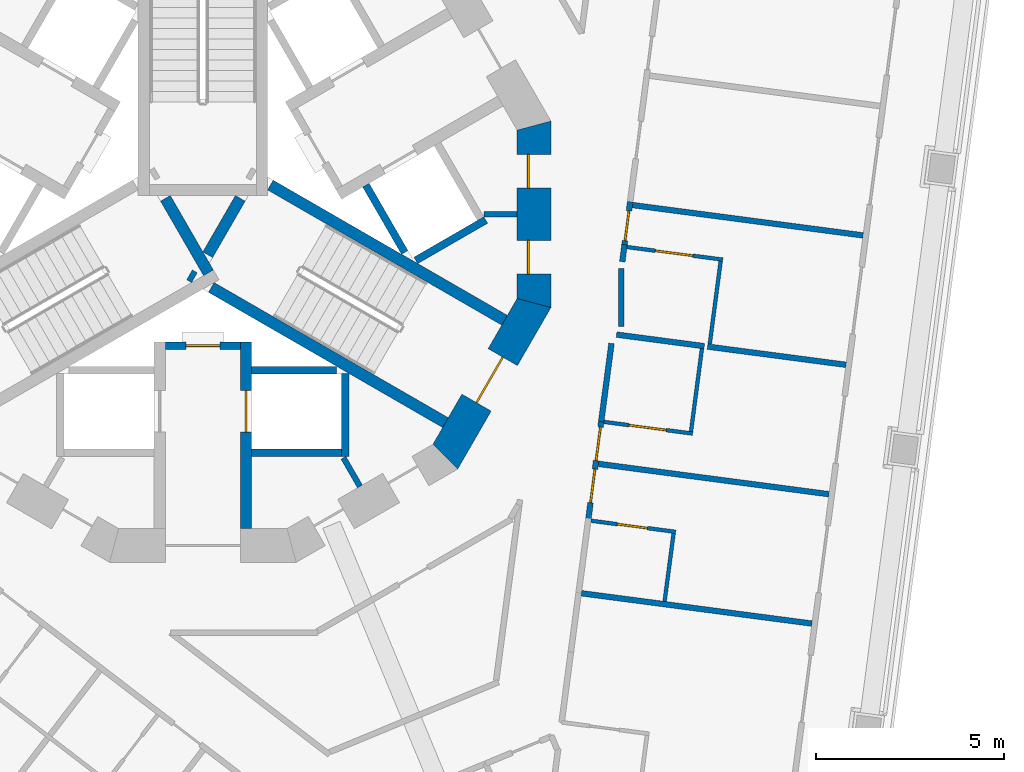
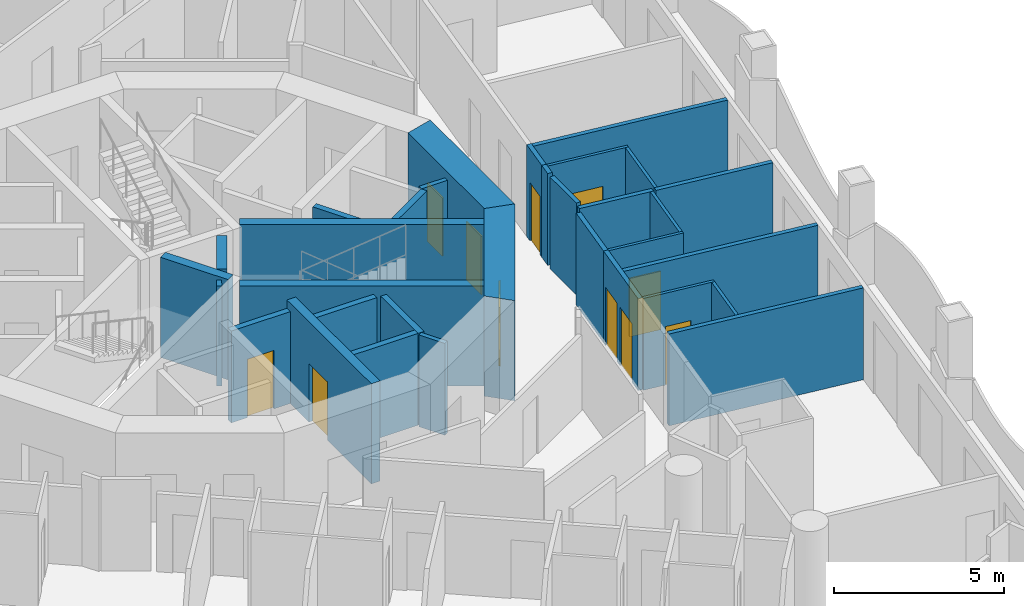
# One storey, part 5 of 17: 32 walls, 11 doors, 11 openings.
"""IFC4 building model written with IfcOpenShell, lengths in metres."""

from ifc_helpers import new_model, si_unit, direction, frame, frame_2d, origin, place, context, subcontext, project, spatial, polyline, rectangle, outline, extrude, material, layer, layer_set, type_object, element, fill, save


model = new_model("IFC4")

# Units and contexts
model_context = context("Model", 3, precision=1e-05, world=origin(), true_north=direction((0.0, 1.0)))
body_context = subcontext(model_context, "Body", "Model", "MODEL_VIEW")
ifc_project = project(units=[si_unit("LENGTHUNIT", "METRE"), si_unit("AREAUNIT", "SQUARE_METRE"), si_unit("VOLUMEUNIT", "CUBIC_METRE"), si_unit("PLANEANGLEUNIT", "RADIAN"), si_unit("MASSUNIT", "GRAM", prefix="KILO")], contexts=[model_context])

# Site, building, storey
site_placement = place(None, origin())
site = spatial("IfcSite", under=ifc_project, at=site_placement, CompositionType="ELEMENT")
building_placement = place(site_placement, origin())
building = spatial("IfcBuilding", under=site, at=building_placement, Name="Trine Commons Tower", CompositionType="ELEMENT")
storey_placement = place(building_placement, frame((0.0, 0.0, 131.39990234375)))
storey = spatial("IfcBuildingStorey", under=building, at=storey_placement, Name="L33", CompositionType="ELEMENT", Elevation=131.39990234375)

# Walls
ifc_material_1 = material(Name="Plasterboard partition on steel studs", Category="steel")
ifc_layer_1 = layer(ifc_material_1, 0.14990234375)
ifc_layer_set_1 = layer_set([ifc_layer_1], Name="Plasterboard partition on steel studs")
wall_type_1 = type_object("IfcWallType", Name="Core room partition 150 mm, EI 60", PredefinedType="PARTITIONING", material=ifc_layer_set_1)
for number, where, z_axis, x_axis, name in (
    (1, (84.18603515625, 55.2490234375, 0.0), (0.0, 0.0, 1.0), (-0.499890179513, 0.866088799389, 0.0), "Core room partition L33"),
    (2, (88.373046875, 62.5, 0.0), (0.0, 0.0, 1.0), (-1.0, 0.0, 0.0), "Core room partition L33"),
):
    element("IfcWall", number, at=place(storey_placement, frame(where, z_axis=z_axis, x_axis=x_axis)), inside=storey, type_object=wall_type_1, Name=name, PredefinedType="PARTITIONING", context=body_context, shape_type="SweptSolid", body=[
        extrude(rectangle(XDim=0.882080078125, YDim=0.14990234375, at=frame_2d((0.44091796875, 0.0))), origin(), (0.0, 0.0, 1.0), 3.300048828125),
    ])

# Wall, opening, door
ifc_material_2 = material(Name="Fire-rated gypsum shaft wall system")
ifc_layer_2 = layer(ifc_material_2, 0.199951171875)
ifc_layer_set_2 = layer_set([ifc_layer_2], Name="Fire-rated gypsum shaft wall system")
wall_type_2 = type_object("IfcWallType", Name="Lobby end wall 200 mm, EI 120", PredefinedType="PARTITIONING", material=ifc_layer_set_2)
wall_1_placement = place(storey_placement, frame((79.0, 59.0, 0.0), z_axis=(0.0, 0.0, 1.0), x_axis=(1.0, 0.0, 0.0)))
wall_1 = element("IfcWall", 3, at=wall_1_placement, inside=storey, type_object=wall_type_2, Name="Lobby end wall L33", PredefinedType="PARTITIONING", context=body_context, shape_type="SweptSolid", body=[
    extrude(rectangle(XDim=2.0, YDim=0.199951171875, at=frame_2d((1.0, 0.0))), origin(), (0.0, 0.0, 1.0), 3.300048828125),
])
opening_1_placement = place(wall_1_placement, frame((0.550048828125, 0.0, 0.0)))
opening_1 = element("IfcOpeningElement", 4, at=opening_1_placement, cuts=wall_1, Name="Opening K12.09", PredefinedType="OPENING", context=body_context, shape_type="SweptSolid", body=[
    extrude(rectangle(XDim=0.89990234375, YDim=2.10009765625, at=frame_2d((0.449951171875, 1.050048828125))), frame((0.0, 0.10986328125, 0.0), z_axis=(0.0, -1.0, 0.0), x_axis=(1.0, 0.0, 0.0)), (0.0, 0.0, 1.0), 0.219970703125),
])
ifc_material_3 = material(Name="Steel door leaf, fire-rated", Category="steel")
door_type_1 = type_object("IfcDoorType", Name="Riser access door, single leaf 900 x 2100, FD60", OperationType="SINGLE_SWING_LEFT", PredefinedType="DOOR", material=ifc_material_3)
door_1_placement = place(opening_1_placement, frame((0.89990234375, 0.0, 0.0), z_axis=(0.0, 0.0, 1.0), x_axis=(-1.0, 0.0, 0.0)))
door_1 = element("IfcDoor", 5, at=door_1_placement, inside=storey, type_object=door_type_1, Name="Riser door, Communications riser L33", OperationType="SINGLE_SWING_RIGHT", OverallHeight=2.10009765625, OverallWidth=0.89990234375, PredefinedType="DOOR", context=body_context, shape_type="SweptSolid", body=[
    extrude(rectangle(XDim=0.89990234375, YDim=2.10009765625, at=frame_2d((0.449951171875, 1.050048828125))), frame((0.0, 0.02490234375, 0.0), z_axis=(0.0, -1.0, 0.0), x_axis=(1.0, 0.0, 0.0)), (0.0, 0.0, 1.0), 0.050048828125),
])
fill(opening_1, door_1)

ifc_material_4 = material(Name="Concrete C70/85", Category="concrete")
ifc_layer_3 = layer(ifc_material_4, 0.300048828125)
ifc_layer_set_3 = layer_set([ifc_layer_3], Name="Concrete C70/85")
wall_type_3 = type_object("IfcWallType", Name="RC shear wall 300 mm, C70/85", PredefinedType="SHEAR", material=ifc_layer_set_3)
wall_2_placement = place(storey_placement, frame((81.14990234375, 59.10009765625, 0.0), z_axis=(0.0, 0.0, 1.0), x_axis=(0.0, -1.0, 0.0)))
wall_2 = element("IfcWall", 6, at=wall_2_placement, inside=storey, type_object=wall_type_3, Name="Core cross wall SWB-04 L33", PredefinedType="SHEAR", context=body_context, shape_type="SweptSolid", body=[
    extrude(rectangle(XDim=4.97314453125, YDim=0.300048828125, at=frame_2d((2.486572265625, 0.0))), origin(), (0.0, 0.0, 1.0), 3.60009765625),
])
opening_2_placement = place(wall_2_placement, frame((1.300048828125, 0.0, 0.0)))
opening_2 = element("IfcOpeningElement", 7, at=opening_2_placement, cuts=wall_2, Name="Opening LD9", PredefinedType="OPENING", context=body_context, shape_type="SweptSolid", body=[
    extrude(rectangle(XDim=1.10009765625, YDim=2.10009765625, at=frame_2d((0.550048828125, 1.050048828125))), frame((0.0, 0.159912109375, 0.0), z_axis=(0.0, -1.0, 0.0), x_axis=(1.0, 0.0, 0.0)), (0.0, 0.0, 1.0), 0.320068359375),
])
ifc_material_5 = material(Name="Stainless steel sliding door leaves", Category="steel")
door_type_2 = type_object("IfcDoorType", Name="Lift landing door, centre-opening sliding 1100 x 2100, FD90", OperationType="DOUBLE_DOOR_SLIDING", PredefinedType="DOOR", material=ifc_material_5)
door_2_placement = place(opening_2_placement, origin())
door_2 = element("IfcDoor", 8, at=door_2_placement, inside=storey, type_object=door_type_2, Name="Lift landing door FF1 L33", OperationType="DOUBLE_DOOR_SLIDING", OverallHeight=2.10009765625, OverallWidth=1.10009765625, PredefinedType="DOOR", context=body_context, shape_type="SweptSolid", body=[
    extrude(rectangle(XDim=1.10009765625, YDim=2.10009765625, at=frame_2d((0.550048828125, 1.050048828125))), frame((0.0, 0.02490234375, 0.0), z_axis=(0.0, -1.0, 0.0), x_axis=(1.0, 0.0, 0.0)), (0.0, 0.0, 1.0), 0.050048828125),
])
fill(opening_2, door_2)

# Walls
wall_3_placement = place(storey_placement, frame((79.0029296875, 62.926025390625, 0.0), z_axis=(0.0, 0.0, 1.0), x_axis=(0.499965247104, -0.866045467449, 0.0)))
element("IfcWall", 9, at=wall_3_placement, inside=storey, type_object=wall_type_3, Name="Core cross wall SWB-10 L33", PredefinedType="SHEAR", context=body_context, shape_type="SweptSolid", body=[
    extrude(rectangle(XDim=2.292236328125, YDim=0.300048828125, at=frame_2d((1.14599609375, 0.0))), origin(), (0.0, 0.0, 1.0), 3.60009765625),
])
wall_4_placement = place(storey_placement, frame((79.64599609375, 60.885986328125, 0.0), z_axis=(0.0, 0.0, 1.0), x_axis=(0.867331893649, -0.497730234424, 0.0)))
element("IfcWall", 10, at=wall_4_placement, inside=storey, type_object=wall_type_3, Name="Core cross wall SWB-11 L33", PredefinedType="SHEAR", context=body_context, shape_type="SweptSolid", body=[
    extrude(rectangle(XDim=0.148681640625, YDim=0.300048828125, at=frame_2d((0.07421875, 0.0))), origin(), (0.0, 0.0, 1.0), 3.60009765625),
])
wall_5_placement = place(storey_placement, frame((80.1298828125, 61.424072265625, 0.0), z_axis=(0.0, 0.0, 1.0), x_axis=(0.500014901547, 0.866016800201, 0.0)))
element("IfcWall", 11, at=wall_5_placement, inside=storey, type_object=wall_type_3, Name="Core cross wall SWB-12 L33", PredefinedType="SHEAR", context=body_context, shape_type="SweptSolid", body=[
    extrude(rectangle(XDim=1.734375, YDim=0.300048828125, at=frame_2d((0.8671875, 0.0))), origin(), (0.0, 0.0, 1.0), 3.60009765625),
])
for number, where, z_axis, x_axis, name in (
    (12, (80.22509765625, 60.552001953125, 0.0), (0.0, 0.0, 1.0), (0.866028135082, -0.499995269223, 0.0), "Core cross wall SWB-13 L33"),
    (13, (81.800048828125, 63.280029296875, 0.0), (0.0, 0.0, 1.0), (0.866028135082, -0.499995269223, 0.0), "Core cross wall SWB-18 L33"),
):
    element("IfcWall", number, at=place(storey_placement, frame(where, z_axis=z_axis, x_axis=x_axis)), inside=storey, type_object=wall_type_3, Name=name, PredefinedType="SHEAR", context=body_context, shape_type="SweptSolid", body=[
        extrude(rectangle(XDim=7.2041015625, YDim=0.300048828125, at=frame_2d((3.60205078125, 0.0))), origin(), (0.0, 0.0, 1.0), 3.60009765625),
    ])

# Wall, openings, doors
ifc_layer_4 = layer(ifc_material_4, 0.89990234375)
ifc_layer_set_4 = layer_set([ifc_layer_4], Name="Concrete C70/85")
wall_type_4 = type_object("IfcWallType", Name="RC shear wall 900 mm, C70/85", PredefinedType="SHEAR", material=ifc_layer_set_4)
wall_6_placement = place(storey_placement, frame((88.822998046875, 60.015380859375, 0.0), z_axis=(0.0, 0.0, 1.0), x_axis=(0.0, 1.0, 0.0)))
wall_6 = element("IfcWall", 14, at=wall_6_placement, inside=storey, type_object=wall_type_4, Name="Core wall CWD-01 L33", PredefinedType="SHEAR", context=body_context, shape_type="SweptSolid", body=[
    extrude(outline(polyline([(0.0, -0.449951171875), (4.969482421875, -0.449951171875), (4.728271484375, 0.449951171875), (0.2412109375, 0.449951171875), (0.0, -0.449951171875)])), origin(), (0.0, 0.0, 1.0), 3.60009765625),
])
opening_3_placement = place(wall_6_placement, frame((0.893798828125, 0.0, 0.0)))
opening_3 = element("IfcOpeningElement", 15, at=opening_3_placement, cuts=wall_6, Name="Opening K12.10", PredefinedType="OPENING", context=body_context, shape_type="SweptSolid", body=[
    extrude(rectangle(XDim=0.89990234375, YDim=2.10009765625, at=frame_2d((0.449951171875, 1.050048828125))), frame((0.0, 0.4599609375, 0.0), z_axis=(0.0, -1.0, 0.0), x_axis=(1.0, 0.0, 0.0)), (0.0, 0.0, 1.0), 0.919921875),
])
opening_4_placement = place(wall_6_placement, frame((3.184814453125, 0.0, 0.0)))
opening_4 = element("IfcOpeningElement", 16, at=opening_4_placement, cuts=wall_6, Name="Opening K12.11", PredefinedType="OPENING", context=body_context, shape_type="SweptSolid", body=[
    extrude(rectangle(XDim=0.89990234375, YDim=2.10009765625, at=frame_2d((0.449951171875, 1.050048828125))), frame((0.0, 0.4599609375, 0.0), z_axis=(0.0, -1.0, 0.0), x_axis=(1.0, 0.0, 0.0)), (0.0, 0.0, 1.0), 0.919921875),
])
door_type_3 = type_object("IfcDoorType", Name="Core room door, single leaf 900 x 2100, FD30S", OperationType="SINGLE_SWING_LEFT", PredefinedType="DOOR", material=ifc_material_3)
door_3_placement = place(opening_3_placement, origin())
door_3 = element("IfcDoor", 17, at=door_3_placement, inside=storey, type_object=door_type_3, Name="Door to Linen store L33", OperationType="SINGLE_SWING_LEFT", OverallHeight=2.10009765625, OverallWidth=0.89990234375, PredefinedType="DOOR", context=body_context, shape_type="SweptSolid", body=[
    extrude(rectangle(XDim=0.89990234375, YDim=2.10009765625, at=frame_2d((0.449951171875, 1.050048828125))), frame((0.0, 0.1748046875, 0.0), z_axis=(0.0, -1.0, 0.0), x_axis=(1.0, 0.0, 0.0)), (0.0, 0.0, 1.0), 0.050048828125),
])
fill(opening_3, door_3)
door_4_placement = place(opening_4_placement, origin())
door_4 = element("IfcDoor", 18, at=door_4_placement, inside=storey, type_object=door_type_3, Name="Door to Pantry L33", OperationType="SINGLE_SWING_RIGHT", OverallHeight=2.10009765625, OverallWidth=0.89990234375, PredefinedType="DOOR", context=body_context, shape_type="SweptSolid", body=[
    extrude(rectangle(XDim=0.89990234375, YDim=2.10009765625, at=frame_2d((0.449951171875, 1.050048828125))), frame((0.0, 0.1748046875, 0.0), z_axis=(0.0, -1.0, 0.0), x_axis=(1.0, 0.0, 0.0)), (0.0, 0.0, 1.0), 0.050048828125),
])
fill(opening_4, door_4)

# Wall, opening, door
wall_7_placement = place(storey_placement, frame((86.3984375, 55.936767578125, 0.0), z_axis=(0.0, 0.0, 1.0), x_axis=(0.500038571144, 0.866003133579, 0.0)))
wall_7 = element("IfcWall", 19, at=wall_7_placement, inside=storey, type_object=wall_type_4, Name="Core wall CWD-12 L33", PredefinedType="SHEAR", context=body_context, shape_type="SweptSolid", body=[
    extrude(outline(polyline([(0.0, -0.449951171875), (4.96923828125, -0.449951171875), (4.72802734375, 0.449951171875), (0.2412109375, 0.449951171875), (0.0, -0.449951171875)])), origin(), (0.0, 0.0, 1.0), 3.60009765625),
])
opening_5_placement = place(wall_7_placement, frame((1.78466796875, 0.0, 0.0)))
opening_5 = element("IfcOpeningElement", 20, at=opening_5_placement, cuts=wall_7, Name="Opening K12.03", PredefinedType="OPENING", context=body_context, shape_type="SweptSolid", body=[
    extrude(rectangle(XDim=1.39990234375, YDim=2.10009765625, at=frame_2d((0.699951171875, 1.050048828125))), frame((0.0, 0.4599609375, 0.0), z_axis=(0.0, -1.0, 0.0), x_axis=(1.0, 0.0, 0.0)), (0.0, 0.0, 1.0), 0.919921875),
])
ifc_material_6 = material(Name="Steel door leaves, fire-rated", Category="steel")
door_type_4 = type_object("IfcDoorType", Name="Stair door, double leaf 1400 x 2100, FD90", OperationType="DOUBLE_DOOR_SINGLE_SWING", PredefinedType="DOOR", material=ifc_material_6)
door_5_placement = place(opening_5_placement, origin())
door_5 = element("IfcDoor", 21, at=door_5_placement, inside=storey, type_object=door_type_4, Name="Stair door to Exit stair ST3B L33", OperationType="DOUBLE_DOOR_SINGLE_SWING", OverallHeight=2.10009765625, OverallWidth=1.39990234375, PredefinedType="DOOR", context=body_context, shape_type="SweptSolid", body=[
    extrude(rectangle(XDim=1.39990234375, YDim=2.10009765625, at=frame_2d((0.699951171875, 1.050048828125))), frame((0.0, 0.02490234375, 0.0), z_axis=(0.0, -1.0, 0.0), x_axis=(1.0, 0.0, 0.0)), (0.0, 0.0, 1.0), 0.050048828125),
])
fill(opening_5, door_5)

# Walls
ifc_layer_5 = layer(ifc_material_2, 0.199951171875)
ifc_layer_set_5 = layer_set([ifc_layer_5], Name="Fire-rated gypsum shaft wall system")
wall_type_5 = type_object("IfcWallType", Name="Shaft wall 200 mm, EI 120", PredefinedType="PARTITIONING", material=ifc_layer_set_5)
wall_8_placement = place(storey_placement, frame((81.300048828125, 56.14990234375, 0.0), z_axis=(0.0, 0.0, 1.0), x_axis=(1.0, 0.0, 0.0)))
element("IfcWall", 22, at=wall_8_placement, inside=storey, type_object=wall_type_5, Name="Shaft wall L33", PredefinedType="PARTITIONING", context=body_context, shape_type="SweptSolid", body=[
    extrude(rectangle(XDim=2.39990234375, YDim=0.199951171875, at=frame_2d((1.199951171875, 0.0))), origin(), (0.0, 0.0, 1.0), 3.300048828125),
])
wall_9_placement = place(storey_placement, frame((81.300048828125, 58.35009765625, 0.0), z_axis=(0.0, 0.0, 1.0), x_axis=(1.0, 0.0, 0.0)))
element("IfcWall", 23, at=wall_9_placement, inside=storey, type_object=wall_type_5, Name="Shaft wall L33", PredefinedType="PARTITIONING", context=body_context, shape_type="SweptSolid", body=[
    extrude(rectangle(XDim=2.264892578125, YDim=0.199951171875, at=frame_2d((1.13232421875, 0.0))), origin(), (0.0, 0.0, 1.0), 3.300048828125),
])
wall_10_placement = place(storey_placement, frame((83.800048828125, 58.257080078125, 0.0), z_axis=(0.0, 0.0, 1.0), x_axis=(0.0, -1.0, 0.0)))
element("IfcWall", 24, at=wall_10_placement, inside=storey, type_object=wall_type_5, Name="Shaft wall L33", PredefinedType="PARTITIONING", context=body_context, shape_type="SweptSolid", body=[
    extrude(rectangle(XDim=2.20703125, YDim=0.199951171875, at=frame_2d((1.103515625, 0.0))), origin(), (0.0, 0.0, 1.0), 3.300048828125),
])
wall_11_placement = place(storey_placement, frame((84.343994140625, 63.27587890625, 0.0), z_axis=(0.0, 0.0, 1.0), x_axis=(0.500271688072, -0.86586848777, 0.0)))
element("IfcWall", 25, at=wall_11_placement, inside=storey, type_object=wall_type_5, Name="Shaft wall L33", PredefinedType="PARTITIONING", context=body_context, shape_type="SweptSolid", body=[
    extrude(rectangle(XDim=2.064697265625, YDim=0.199951171875, at=frame_2d((1.0322265625, 0.0))), origin(), (0.0, 0.0, 1.0), 3.300048828125),
])
wall_12_placement = place(storey_placement, frame((85.675048828125, 61.27392578125, 0.0), z_axis=(0.0, 0.0, 1.0), x_axis=(0.866102336459, 0.499866725018, 0.0)))
element("IfcWall", 26, at=wall_12_placement, inside=storey, type_object=wall_type_5, Name="Shaft wall L33", PredefinedType="PARTITIONING", context=body_context, shape_type="SweptSolid", body=[
    extrude(rectangle(XDim=2.1484375, YDim=0.199951171875, at=frame_2d((1.07421875, 0.0))), origin(), (0.0, 0.0, 1.0), 3.300048828125),
])
ifc_material_7 = material(Name="Gypsum plasterboard on steel stud", Category="steel")
ifc_layer_6 = layer(ifc_material_7, 0.14990234375)
ifc_layer_set_6 = layer_set([ifc_layer_6], Name="Gypsum plasterboard on steel stud")
wall_type_6 = type_object("IfcWallType", Name="Unit and corridor wall 150 mm, EI 60", PredefinedType="PARTITIONING", material=ifc_layer_set_6)
wall_13_placement = place(storey_placement, frame((90.08740234375, 52.4033203125, 0.0), z_axis=(0.0, 0.0, 1.0), x_axis=(0.991452282991, -0.130469807049, 0.0)))
element("IfcWall", 27, at=wall_13_placement, inside=storey, type_object=wall_type_6, Name="Partition 105", PredefinedType="PARTITIONING", context=body_context, shape_type="SweptSolid", body=[
    extrude(rectangle(XDim=6.19384765625, YDim=0.14990234375, at=frame_2d((3.096923828125, 0.0))), origin(), (0.0, 0.0, 1.0), 3.300048828125),
])

# Wall, openings, doors
wall_14_placement = place(storey_placement, frame((90.26708984375, 54.342041015625, 0.0), z_axis=(0.0, 0.0, 1.0), x_axis=(0.13024822895, 0.991481416294, 0.0)))
wall_14 = element("IfcWall", 28, at=wall_14_placement, inside=storey, type_object=wall_type_6, Name="Partition 107", PredefinedType="PARTITIONING", context=body_context, shape_type="SweptSolid", body=[
    extrude(rectangle(XDim=2.66357421875, YDim=0.14990234375, at=frame_2d((1.331787109375, 0.0))), origin(), (0.0, 0.0, 1.0), 3.300048828125),
])
opening_6_placement = place(wall_14_placement, frame((1.612060546875, 0.0, 0.0)))
opening_6 = element("IfcOpeningElement", 29, at=opening_6_placement, cuts=wall_14, Name="Opening D-4A20", PredefinedType="OPENING", context=body_context, shape_type="SweptSolid", body=[
    extrude(rectangle(XDim=0.89990234375, YDim=2.10009765625, at=frame_2d((0.449951171875, 1.050048828125))), frame((0.0, 0.0849609375, 0.0), z_axis=(0.0, -1.0, 0.0), x_axis=(1.0, 0.0, 0.0)), (0.0, 0.0, 1.0), 0.169921875),
])
opening_7_placement = place(wall_14_placement, frame((0.482177734375, 0.0, 0.0)))
opening_7 = element("IfcOpeningElement", 30, at=opening_7_placement, cuts=wall_14, Name="Opening D-4A21", PredefinedType="OPENING", context=body_context, shape_type="SweptSolid", body=[
    extrude(rectangle(XDim=0.89990234375, YDim=2.10009765625, at=frame_2d((0.449951171875, 1.050048828125))), frame((0.0, 0.0849609375, 0.0), z_axis=(0.0, -1.0, 0.0), x_axis=(1.0, 0.0, 0.0)), (0.0, 0.0, 1.0), 0.169921875),
])
ifc_material_8 = material(Name="Timber fire door set", Category="wood")
door_type_5 = type_object("IfcDoorType", Name="Bedroom door 900 x 2100, FD30S", OperationType="NOTDEFINED", PredefinedType="DOOR", material=ifc_material_8)
door_6_placement = place(opening_6_placement, frame((0.89990234375, 0.0, 0.0), z_axis=(0.0, 0.0, 1.0), x_axis=(-1.0, 0.0, 0.0)))
door_6 = element("IfcDoor", 31, at=door_6_placement, inside=storey, type_object=door_type_5, Name="Door D-4A20", OperationType="SINGLE_SWING_LEFT", OverallHeight=2.10009765625, OverallWidth=0.89990234375, PredefinedType="DOOR", context=body_context, shape_type="SweptSolid", body=[
    extrude(rectangle(XDim=0.89990234375, YDim=2.10009765625, at=frame_2d((0.449951171875, 1.050048828125))), frame((0.0, 0.02490234375, 0.0), z_axis=(0.0, -1.0, 0.0), x_axis=(1.0, 0.0, 0.0)), (0.0, 0.0, 1.0), 0.050048828125),
])
fill(opening_6, door_6)
door_7_placement = place(opening_7_placement, frame((0.89990234375, 0.0, 0.0), z_axis=(0.0, 0.0, 1.0), x_axis=(-1.0, 0.0, 0.0)))
door_7 = element("IfcDoor", 32, at=door_7_placement, inside=storey, type_object=door_type_5, Name="Door D-4A21", OperationType="SINGLE_SWING_RIGHT", OverallHeight=2.10009765625, OverallWidth=0.89990234375, PredefinedType="DOOR", context=body_context, shape_type="SweptSolid", body=[
    extrude(rectangle(XDim=0.89990234375, YDim=2.10009765625, at=frame_2d((0.449951171875, 1.050048828125))), frame((0.0, 0.02490234375, 0.0), z_axis=(0.0, -1.0, 0.0), x_axis=(1.0, 0.0, 0.0)), (0.0, 0.0, 1.0), 0.050048828125),
])
fill(opening_7, door_7)

# Walls
wall_15_placement = place(storey_placement, frame((90.54150390625, 55.851318359375, 0.0), z_axis=(0.0, 0.0, 1.0), x_axis=(0.991431876291, -0.130624785832, 0.0)))
element("IfcWall", 33, at=wall_15_placement, inside=storey, type_object=wall_type_6, Name="Partition 109", PredefinedType="PARTITIONING", context=body_context, shape_type="SweptSolid", body=[
    extrude(rectangle(XDim=6.19384765625, YDim=0.14990234375, at=frame_2d((3.096923828125, 0.0))), origin(), (0.0, 0.0, 1.0), 3.300048828125),
])
wall_16_placement = place(storey_placement, frame((90.613037109375, 56.97509765625, 0.0), z_axis=(0.0, 0.0, 1.0), x_axis=(0.130718775618, 0.99141948826, 0.0)))
element("IfcWall", 34, at=wall_16_placement, inside=storey, type_object=wall_type_6, Name="Partition 110", PredefinedType="PARTITIONING", context=body_context, shape_type="SweptSolid", body=[
    extrude(rectangle(XDim=2.10302734375, YDim=0.14990234375, at=frame_2d((1.051513671875, 0.0))), origin(), (0.0, 0.0, 1.0), 3.300048828125),
])
wall_17_placement = place(storey_placement, frame((91.02197265625, 59.294921875, 0.0), z_axis=(0.0, 0.0, 1.0), x_axis=(0.991419384597, -0.130719561828, 0.0)))
element("IfcWall", 35, at=wall_17_placement, inside=storey, type_object=wall_type_6, Name="Partition 115", PredefinedType="PARTITIONING", context=body_context, shape_type="SweptSolid", body=[
    extrude(rectangle(XDim=2.35888671875, YDim=0.14990234375, at=frame_2d((1.179443359375, 0.0))), origin(), (0.0, 0.0, 1.0), 3.300048828125),
])
wall_18_placement = place(storey_placement, frame((91.14794921875, 59.512939453125, 0.0), z_axis=(0.0, 0.0, 1.0), x_axis=(0.0, 1.0, 0.0)))
element("IfcWall", 36, at=wall_18_placement, inside=storey, type_object=wall_type_6, Name="Partition 116", PredefinedType="PARTITIONING", context=body_context, shape_type="SweptSolid", body=[
    extrude(rectangle(XDim=1.550048828125, YDim=0.14990234375, at=frame_2d((0.77490234375, 0.0))), origin(), (0.0, 0.0, 1.0), 3.300048828125),
])
wall_19_placement = place(storey_placement, frame((91.175048828125, 61.237060546875, 0.0), z_axis=(0.0, 0.0, 1.0), x_axis=(0.129931052438, 0.991523031307, 0.0)))
element("IfcWall", 37, at=wall_19_placement, inside=storey, type_object=wall_type_6, Name="Partition 117", PredefinedType="PARTITIONING", context=body_context, shape_type="SweptSolid", body=[
    extrude(rectangle(XDim=0.45849609375, YDim=0.14990234375, at=frame_2d((0.229248046875, 0.0))), origin(), (0.0, 0.0, 1.0), 3.300048828125),
])

# Wall, opening, door
wall_20_placement = place(storey_placement, frame((91.22705078125, 61.634033203125, 0.0), z_axis=(0.0, 0.0, 1.0), x_axis=(0.130261514623, 0.9914796709, 0.0)))
wall_20 = element("IfcWall", 38, at=wall_20_placement, inside=storey, type_object=wall_type_6, Name="Partition 118", PredefinedType="PARTITIONING", context=body_context, shape_type="SweptSolid", body=[
    extrude(rectangle(XDim=1.210693359375, YDim=0.14990234375, at=frame_2d((0.60546875, 0.0))), origin(), (0.0, 0.0, 1.0), 3.300048828125),
])
opening_8_placement = place(wall_20_placement, frame((0.16796875, 0.0, 0.0)))
opening_8 = element("IfcOpeningElement", 39, at=opening_8_placement, cuts=wall_20, Name="Opening D-4A19", PredefinedType="OPENING", context=body_context, shape_type="SweptSolid", body=[
    extrude(rectangle(XDim=0.800048828125, YDim=2.10009765625, at=frame_2d((0.39990234375, 1.050048828125))), frame((0.0, 0.0849609375, 0.0), z_axis=(0.0, -1.0, 0.0), x_axis=(1.0, 0.0, 0.0)), (0.0, 0.0, 1.0), 0.169921875),
])
door_type_6 = type_object("IfcDoorType", Name="Bedroom door 800 x 2100, FD30S", OperationType="NOTDEFINED", PredefinedType="DOOR", material=ifc_material_8)
door_8_placement = place(opening_8_placement, frame((0.800048828125, 0.0, 0.0), z_axis=(0.0, 0.0, 1.0), x_axis=(-1.0, 0.0, 0.0)))
door_8 = element("IfcDoor", 40, at=door_8_placement, inside=storey, type_object=door_type_6, Name="Door D-4A19", OperationType="SINGLE_SWING_RIGHT", OverallHeight=2.10009765625, OverallWidth=0.800048828125, PredefinedType="DOOR", context=body_context, shape_type="SweptSolid", body=[
    extrude(rectangle(XDim=0.800048828125, YDim=2.10009765625, at=frame_2d((0.39990234375, 1.050048828125))), frame((0.0, 0.02490234375, 0.0), z_axis=(0.0, -1.0, 0.0), x_axis=(1.0, 0.0, 0.0)), (0.0, 0.0, 1.0), 0.050048828125),
])
fill(opening_8, door_8)

# Walls
wall_21_placement = place(storey_placement, frame((91.449462890625, 62.74609375, 0.0), z_axis=(0.0, 0.0, 1.0), x_axis=(0.991457381012, -0.130431060858, 0.0)))
element("IfcWall", 41, at=wall_21_placement, inside=storey, type_object=wall_type_6, Name="Partition 121", PredefinedType="PARTITIONING", context=body_context, shape_type="SweptSolid", body=[
    extrude(rectangle(XDim=6.19384765625, YDim=0.14990234375, at=frame_2d((3.096923828125, 0.0))), origin(), (0.0, 0.0, 1.0), 3.300048828125),
])
wall_22_placement = place(storey_placement, frame((93.4462890625, 58.9755859375, 0.0), z_axis=(0.0, 0.0, 1.0), x_axis=(0.991460099763, -0.130410392903, 0.0)))
element("IfcWall", 42, at=wall_22_placement, inside=storey, type_object=wall_type_6, Name="Partition 136", PredefinedType="PARTITIONING", context=body_context, shape_type="SweptSolid", body=[
    extrude(rectangle(XDim=3.7216796875, YDim=0.14990234375, at=frame_2d((1.86083984375, 0.0))), origin(), (0.0, 0.0, 1.0), 3.300048828125),
])

# Wall, opening, door
ifc_layer_7 = layer(ifc_material_7, 0.10009765625)
ifc_layer_set_7 = layer_set([ifc_layer_7], Name="Gypsum plasterboard on steel stud")
wall_type_7 = type_object("IfcWallType", Name="Unit partition 100 mm, no rating", PredefinedType="PARTITIONING", material=ifc_layer_set_7)
wall_23_placement = place(storey_placement, frame((90.34228515625, 54.336181640625, 0.0), z_axis=(0.0, 0.0, 1.0), x_axis=(0.991461599928, -0.130398987217, 0.0)))
wall_23 = element("IfcWall", 43, at=wall_23_placement, inside=storey, type_object=wall_type_7, Name="Partition 108", PredefinedType="PARTITIONING", context=body_context, shape_type="SweptSolid", body=[
    extrude(rectangle(XDim=2.27490234375, YDim=0.10009765625, at=frame_2d((1.137451171875, 0.0))), origin(), (0.0, 0.0, 1.0), 3.300048828125),
])
opening_9_placement = place(wall_23_placement, frame((0.71240234375, 0.0, 0.0)))
opening_9 = element("IfcOpeningElement", 44, at=opening_9_placement, cuts=wall_23, Name="Opening D-4A49", PredefinedType="OPENING", context=body_context, shape_type="SweptSolid", body=[
    extrude(rectangle(XDim=0.800048828125, YDim=2.10009765625, at=frame_2d((0.39990234375, 1.050048828125))), frame((0.0, 0.06005859375, 0.0), z_axis=(0.0, -1.0, 0.0), x_axis=(1.0, 0.0, 0.0)), (0.0, 0.0, 1.0), 0.1201171875),
])
ifc_material_9 = material(Name="Painted timber", Category="wood")
door_type_7 = type_object("IfcDoorType", Name="Internal door 800 x 2100, NOT RATED", OperationType="NOTDEFINED", PredefinedType="DOOR", material=ifc_material_9)
door_9_placement = place(opening_9_placement, origin())
door_9 = element("IfcDoor", 45, at=door_9_placement, inside=storey, type_object=door_type_7, Name="Door D-4A49", OperationType="SINGLE_SWING_LEFT", OverallHeight=2.10009765625, OverallWidth=0.800048828125, PredefinedType="DOOR", context=body_context, shape_type="SweptSolid", body=[
    extrude(rectangle(XDim=0.800048828125, YDim=2.10009765625, at=frame_2d((0.39990234375, 1.050048828125))), frame((0.0, 0.02490234375, 0.0), z_axis=(0.0, -1.0, 0.0), x_axis=(1.0, 0.0, 0.0)), (0.0, 0.0, 1.0), 0.050048828125),
])
fill(opening_9, door_9)

wall_24_placement = place(storey_placement, frame((90.6884765625, 56.96923828125, 0.0), z_axis=(0.0, 0.0, 1.0), x_axis=(0.991394526873, -0.130907952726, 0.0)))
wall_24 = element("IfcWall", 46, at=wall_24_placement, inside=storey, type_object=wall_type_7, Name="Partition 111", PredefinedType="PARTITIONING", context=body_context, shape_type="SweptSolid", body=[
    extrude(rectangle(XDim=2.381591796875, YDim=0.10009765625, at=frame_2d((1.19091796875, 0.0))), origin(), (0.0, 0.0, 1.0), 3.300048828125),
])
opening_10_placement = place(wall_24_placement, frame((0.666015625, 0.0, 0.0)))
opening_10 = element("IfcOpeningElement", 47, at=opening_10_placement, cuts=wall_24, Name="Opening D-4A48", PredefinedType="OPENING", context=body_context, shape_type="SweptSolid", body=[
    extrude(rectangle(XDim=1.0, YDim=2.10009765625, at=frame_2d((0.5, 1.050048828125))), frame((0.0, 0.06005859375, 0.0), z_axis=(0.0, -1.0, 0.0), x_axis=(1.0, 0.0, 0.0)), (0.0, 0.0, 1.0), 0.1201171875),
])
door_type_8 = type_object("IfcDoorType", Name="Internal door 1000 x 2100, NOT RATED", OperationType="NOTDEFINED", PredefinedType="DOOR", material=ifc_material_9)
door_10_placement = place(opening_10_placement, frame((1.0, 0.0, 0.0), z_axis=(0.0, 0.0, 1.0), x_axis=(-1.0, 0.0, 0.0)))
door_10 = element("IfcDoor", 48, at=door_10_placement, inside=storey, type_object=door_type_8, Name="Door D-4A48", OperationType="SINGLE_SWING_RIGHT", OverallHeight=2.10009765625, OverallWidth=1.0, PredefinedType="DOOR", context=body_context, shape_type="SweptSolid", body=[
    extrude(rectangle(XDim=1.0, YDim=2.10009765625, at=frame_2d((0.5, 1.050048828125))), frame((0.0, 0.02490234375, 0.0), z_axis=(0.0, -1.0, 0.0), x_axis=(1.0, 0.0, 0.0)), (0.0, 0.0, 1.0), 0.050048828125),
])
fill(opening_10, door_10)

wall_25_placement = place(storey_placement, frame((91.302490234375, 61.628173828125, 0.0), z_axis=(0.0, 0.0, 1.0), x_axis=(0.991446216664, -0.130515897359, 0.0)))
wall_25 = element("IfcWall", 49, at=wall_25_placement, inside=storey, type_object=wall_type_7, Name="Partition 119", PredefinedType="PARTITIONING", context=body_context, shape_type="SweptSolid", body=[
    extrude(rectangle(XDim=2.572021484375, YDim=0.10009765625, at=frame_2d((1.2861328125, 0.0))), origin(), (0.0, 0.0, 1.0), 3.300048828125),
])
opening_11_placement = place(wall_25_placement, frame((0.760986328125, 0.0, 0.0)))
opening_11 = element("IfcOpeningElement", 50, at=opening_11_placement, cuts=wall_25, Name="Opening D-4A47", PredefinedType="OPENING", context=body_context, shape_type="SweptSolid", body=[
    extrude(rectangle(XDim=1.0, YDim=2.10009765625, at=frame_2d((0.5, 1.050048828125))), frame((0.0, 0.06005859375, 0.0), z_axis=(0.0, -1.0, 0.0), x_axis=(1.0, 0.0, 0.0)), (0.0, 0.0, 1.0), 0.1201171875),
])
door_11_placement = place(opening_11_placement, origin())
door_11 = element("IfcDoor", 51, at=door_11_placement, inside=storey, type_object=door_type_8, Name="Door D-4A47", OperationType="SINGLE_SWING_LEFT", OverallHeight=2.10009765625, OverallWidth=1.0, PredefinedType="DOOR", context=body_context, shape_type="SweptSolid", body=[
    extrude(rectangle(XDim=1.0, YDim=2.10009765625, at=frame_2d((0.5, 1.050048828125))), frame((0.0, 0.02490234375, 0.0), z_axis=(0.0, -1.0, 0.0), x_axis=(1.0, 0.0, 0.0)), (0.0, 0.0, 1.0), 0.050048828125),
])
fill(opening_11, door_11)

# Walls
wall_26_placement = place(storey_placement, frame((92.302734375, 52.1875, 0.0), z_axis=(0.0, 0.0, 1.0), x_axis=(0.130866407284, 0.991400011824, 0.0)))
element("IfcWall", 52, at=wall_26_placement, inside=storey, type_object=wall_type_7, Name="Partition 124", PredefinedType="PARTITIONING", context=body_context, shape_type="SweptSolid", body=[
    extrude(rectangle(XDim=1.824462890625, YDim=0.10009765625, at=frame_2d((0.912109375, 0.0))), origin(), (0.0, 0.0, 1.0), 3.300048828125),
])
for number, where, z_axis, x_axis, name in (
    (53, (93.006591796875, 56.713623046875, 0.0), (0.0, 0.0, 1.0), (0.130568042, 0.991439350847, 0.0), "Partition 132"),
    (54, (93.505859375, 59.04345703125, 0.0), (0.0, 0.0, 1.0), (0.130568042, 0.991439350847, 0.0), "Partition 135"),
):
    element("IfcWall", number, at=place(storey_placement, frame(where, z_axis=z_axis, x_axis=x_axis)), inside=storey, type_object=wall_type_7, Name=name, PredefinedType="PARTITIONING", context=body_context, shape_type="SweptSolid", body=[
        extrude(rectangle(XDim=2.22509765625, YDim=0.10009765625, at=frame_2d((1.112548828125, 0.0))), origin(), (0.0, 0.0, 1.0), 3.300048828125),
    ])

save(model, "model.ifc")
